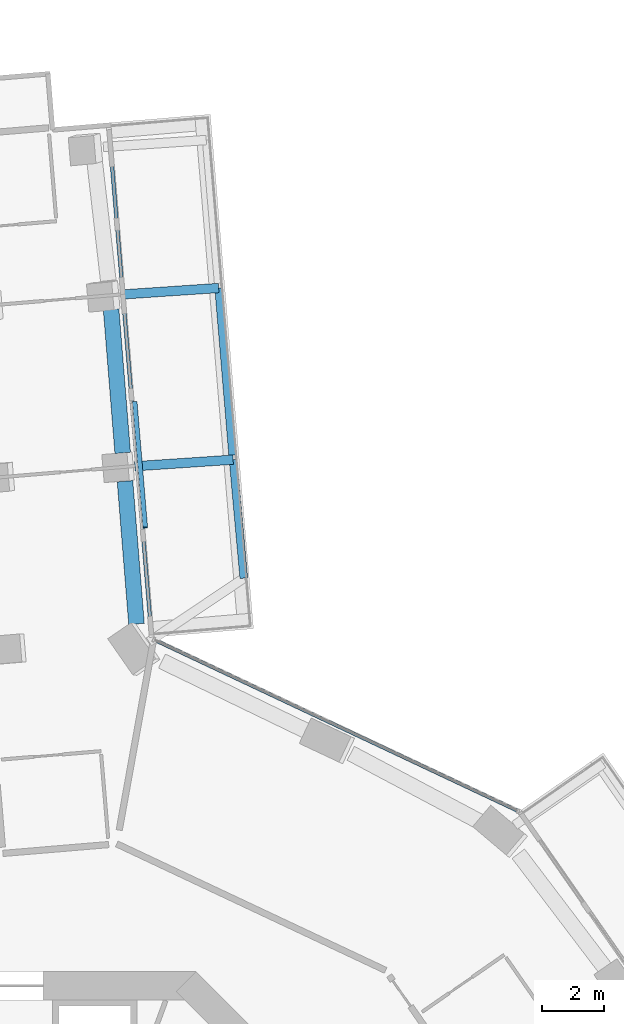
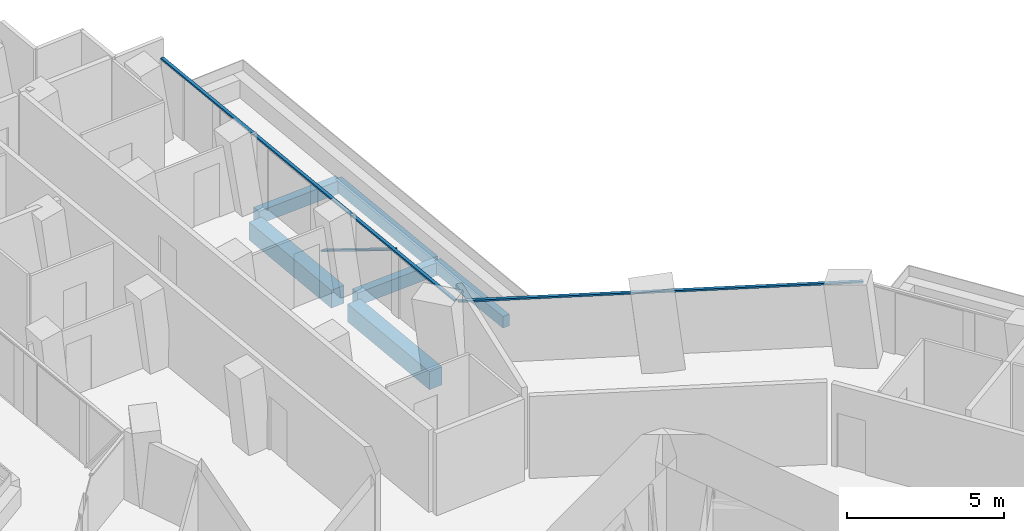
# One storey, part 10 of 26: 6 beams, 3 members, 2 elements without a shape of their own.
"""IFC4 building model written with IfcOpenShell, lengths in metres."""

from ifc_helpers import new_model, si_unit, direction, frame, origin, origin_2d, place, context, subcontext, project, spatial, rectangle, extrude, material, layer, layer_set, material_profile, profile_set, type_object, element, aggregate, save


model = new_model("IFC4")

# Units and contexts
model_context = context("Model", 3, precision=1e-05, world=origin(), true_north=direction((0.0, 1.0)))
body_context = subcontext(model_context, "Body", "Model", "MODEL_VIEW")
ifc_project = project(units=[si_unit("LENGTHUNIT", "METRE"), si_unit("AREAUNIT", "SQUARE_METRE"), si_unit("VOLUMEUNIT", "CUBIC_METRE"), si_unit("PLANEANGLEUNIT", "RADIAN"), si_unit("MASSUNIT", "GRAM", prefix="KILO")], contexts=[model_context])

# Site, building, storey
site_placement = place(None, origin())
site = spatial("IfcSite", under=ifc_project, at=site_placement, CompositionType="ELEMENT")
building_placement = place(site_placement, origin())
building = spatial("IfcBuilding", under=site, at=building_placement, Name="Verdalira Terraces Hotel", CompositionType="ELEMENT")
storey_placement = place(building_placement, frame((0.0, 0.0, 53.0)))
storey = spatial("IfcBuildingStorey", under=building, at=storey_placement, Name="L11", CompositionType="ELEMENT", Elevation=53.0)

# Beams
ifc_material_1 = material(Name="Concrete C40", Category="concrete")
ifc_material_profile_1 = material_profile(ifc_material_1, rectangle(XDim=0.300049, YDim=0.5, at=origin_2d()), Name="RC 300X500")
ifc_profile_set_1 = profile_set([ifc_material_profile_1], Name="Concrete C40")
beam_type_1 = type_object("IfcBeamType", Name="Balcony cantilever beam RC 300X500 C40", PredefinedType="BEAM", material=ifc_profile_set_1)
beam_1_placement = place(storey_placement, frame((3.831787, 30.186279, -0.560059), z_axis=(0.997753903, 0.066986191, 0.0), x_axis=(-0.066986191, 0.997753903, 0.0)))
element("IfcBeam", 1, at=beam_1_placement, inside=storey, type_object=beam_type_1, Name="Balcony cantilever beam R00-2", PredefinedType="BEAM", context=body_context, shape_type="SweptSolid", body=[
    extrude(rectangle(XDim=0.300049, YDim=0.5, at=origin_2d()), origin(), (0.0, 0.0, 1.0), 3.15625),
])
beam_2_placement = place(storey_placement, frame((3.378418, 35.684814, -0.560059), z_axis=(0.997752437, 0.067008014, 0.0), x_axis=(-0.067008014, 0.997752437, 0.0)))
element("IfcBeam", 2, at=beam_2_placement, inside=storey, type_object=beam_type_1, Name="Balcony cantilever beam R00-3", PredefinedType="BEAM", context=body_context, shape_type="SweptSolid", body=[
    extrude(rectangle(XDim=0.300049, YDim=0.5, at=origin_2d()), origin(), (0.0, 0.0, 1.0), 3.147949),
])
ifc_material_2 = material(Name="Concrete C40", Category="concrete")
ifc_material_profile_2 = material_profile(ifc_material_2, rectangle(XDim=0.25, YDim=0.449951, at=origin_2d()), Name="RC 250X450")
ifc_profile_set_2 = profile_set([ifc_material_profile_2], Name="Concrete C40")
beam_type_2 = type_object("IfcBeamType", Name="Balcony edge beam RC 250X450 C40", PredefinedType="BEAM", material=ifc_profile_set_2)
beam_3_placement = place(storey_placement, frame((7.324707, 26.602295, -0.534912), z_axis=(-0.090200723, 0.995923606, 0.0), x_axis=(-0.995923606, -0.090200723, 0.0)))
element("IfcBeam", 3, at=beam_3_placement, inside=storey, type_object=beam_type_2, Name="Balcony edge beam R00-1", PredefinedType="BEAM", context=body_context, shape_type="SweptSolid", body=[
    extrude(rectangle(XDim=0.25, YDim=0.449951, at=origin_2d()), origin(), (0.0, 0.0, 1.0), 3.811035),
])
beam_4_placement = place(storey_placement, frame((6.968262, 30.547119, -0.534912), z_axis=(-0.083647755, 0.996495385, 0.0), x_axis=(-0.996495385, -0.083647755, 0.0)))
element("IfcBeam", 4, at=beam_4_placement, inside=storey, type_object=beam_type_2, Name="Balcony edge beam R00-2", PredefinedType="BEAM", context=body_context, shape_type="SweptSolid", body=[
    extrude(rectangle(XDim=0.25, YDim=0.449951, at=origin_2d()), origin(), (0.0, 0.0, 1.0), 5.367432),
])

# Curtain wall, member
ifc_material_3 = material(Name="Clear glass", Category="glass")
ifc_layer_1 = layer(ifc_material_3, 0.14990234375)
ifc_layer_set_1 = layer_set([ifc_layer_1], Name="CW1 curtain wall")
curtain_wall_type_1 = type_object("IfcCurtainWallType", Name="CW1 curtain wall", PredefinedType="NOTDEFINED", material=ifc_layer_set_1)
curtain_wall_1_placement = place(storey_placement, origin())
curtain_wall_1 = element("IfcCurtainWall", 5, at=curtain_wall_1_placement, inside=storey, type_object=curtain_wall_type_1, Name="CW1 curtain wall L11 edge 41", PredefinedType="NOTDEFINED")
ifc_material_4 = material(Name="Terracotta frame", Category="masonry")
ifc_material_profile_3 = material_profile(ifc_material_4, rectangle(XDim=0.110107, YDim=0.064941, at=origin_2d()), Name="TR 65x110")
ifc_profile_set_3 = profile_set([ifc_material_profile_3], Name="Terracotta frame")
member_type_1 = type_object("IfcMemberType", Name="CW1 transom 65x110", PredefinedType="USERDEFINED", material=ifc_profile_set_3)
member_1_placement = place(storey_placement, frame((16.141846, 19.131348, 2.45752), z_axis=(-0.904828094, 0.425777078, 0.0), x_axis=(-0.425777078, -0.904828094, 0.0)))
member_1 = element("IfcMember", 6, at=member_1_placement, type_object=member_type_1, Name="CW1 transom", ObjectType="TRANSOM", PredefinedType="USERDEFINED", context=body_context, shape_type="SweptSolid", body=[
    extrude(rectangle(XDim=0.110107, YDim=0.064941, at=origin_2d()), origin(), (0.0, 0.0, 1.0), 12.959961),
])
aggregate(curtain_wall_1, [member_1])

# Curtain wall, members
ifc_material_5 = material(Name="Clear glass", Category="glass")
ifc_layer_2 = layer(ifc_material_5, 0.14990234375)
ifc_layer_set_2 = layer_set([ifc_layer_2], Name="CW2 curtain wall")
curtain_wall_type_2 = type_object("IfcCurtainWallType", Name="CW2 curtain wall", PredefinedType="NOTDEFINED", material=ifc_layer_set_2)
curtain_wall_2_placement = place(storey_placement, origin())
curtain_wall_2 = element("IfcCurtainWall", 7, at=curtain_wall_2_placement, inside=storey, type_object=curtain_wall_type_2, Name="CW2 curtain wall L11 edge 0", PredefinedType="NOTDEFINED")
ifc_material_6 = material(Name="Terracotta frame", Category="masonry")
ifc_material_profile_4 = material_profile(ifc_material_6, rectangle(XDim=0.11499, YDim=0.064941, at=origin_2d()), Name="TR 65x115")
ifc_profile_set_4 = profile_set([ifc_material_profile_4], Name="Terracotta frame")
member_type_2 = type_object("IfcMemberType", Name="CW2 transom 65x115", PredefinedType="USERDEFINED", material=ifc_profile_set_4)
member_2_placement = place(storey_placement, frame((4.372559, 24.710938, 2.45752), z_axis=(-0.083676913, 0.996492937, 0.0), x_axis=(-0.996492937, -0.083676913, 0.0)))
member_2 = element("IfcMember", 8, at=member_2_placement, type_object=member_type_2, Name="CW2 transom", ObjectType="TRANSOM", PredefinedType="USERDEFINED", context=body_context, shape_type="SweptSolid", body=[
    extrude(rectangle(XDim=0.11499, YDim=0.064941, at=origin_2d()), origin(), (0.0, 0.0, 1.0), 16.382568),
])
ifc_material_7 = material(Name="Terracotta frame", Category="masonry")
ifc_material_profile_5 = material_profile(ifc_material_7, rectangle(XDim=0.149902, YDim=0.060059, at=origin_2d()), Name="GB 60x150")
ifc_profile_set_5 = profile_set([ifc_material_profile_5], Name="Terracotta frame")
member_type_3 = type_object("IfcMemberType", Name="Diagonal glazing bar 60x150", PredefinedType="USERDEFINED", material=ifc_profile_set_5)
member_3_placement = place(storey_placement, frame((4.168945, 28.223633, 2.398193), z_axis=(-0.072141319, 0.859123302, -0.506658447), x_axis=(-0.996492983, -0.083676369, 0.0)))
member_3 = element("IfcMember", 9, at=member_3_placement, type_object=member_type_3, Name="Diagonal glazing bar", ObjectType="GLAZING BAR", PredefinedType="USERDEFINED", context=body_context, shape_type="SweptSolid", body=[
    extrude(rectangle(XDim=0.149902, YDim=0.060059, at=origin_2d()), origin(), (0.0, 0.0, 1.0), 4.68042),
])
aggregate(curtain_wall_2, [member_2, member_3])

# Beams
ifc_material_8 = material(Name="Concrete C70", Category="concrete")
ifc_material_profile_6 = material_profile(ifc_material_8, rectangle(XDim=0.5, YDim=0.699951, at=origin_2d()), Name="RC 500X700")
ifc_profile_set_6 = profile_set([ifc_material_profile_6], Name="Concrete C70")
beam_type_3 = type_object("IfcBeamType", Name="Spandrel beam RC 500X700 C70", PredefinedType="SPANDREL", material=ifc_profile_set_6)
beam_5_placement = place(storey_placement, frame((3.888184, 25.136719, -0.659912), z_axis=(-0.080458427, 0.996757965, 0.0), x_axis=(-0.996757965, -0.080458427, 0.0)))
element("IfcBeam", 10, at=beam_5_placement, inside=storey, type_object=beam_type_3, Name="Spandrel beam B01", PredefinedType="SPANDREL", context=body_context, shape_type="SweptSolid", body=[
    extrude(rectangle(XDim=0.5, YDim=0.699951, at=origin_2d()), origin(), (0.0, 0.0, 1.0), 4.584961),
])
beam_6_placement = place(storey_placement, frame((3.445801, 30.614502, -0.659912), z_axis=(-0.080487645, 0.996755606, 0.0), x_axis=(-0.996755606, -0.080487645, 0.0)))
element("IfcBeam", 11, at=beam_6_placement, inside=storey, type_object=beam_type_3, Name="Spandrel beam B02", PredefinedType="SPANDREL", context=body_context, shape_type="SweptSolid", body=[
    extrude(rectangle(XDim=0.5, YDim=0.699951, at=origin_2d()), origin(), (0.0, 0.0, 1.0), 4.613525),
])

save(model, "model.ifc")
